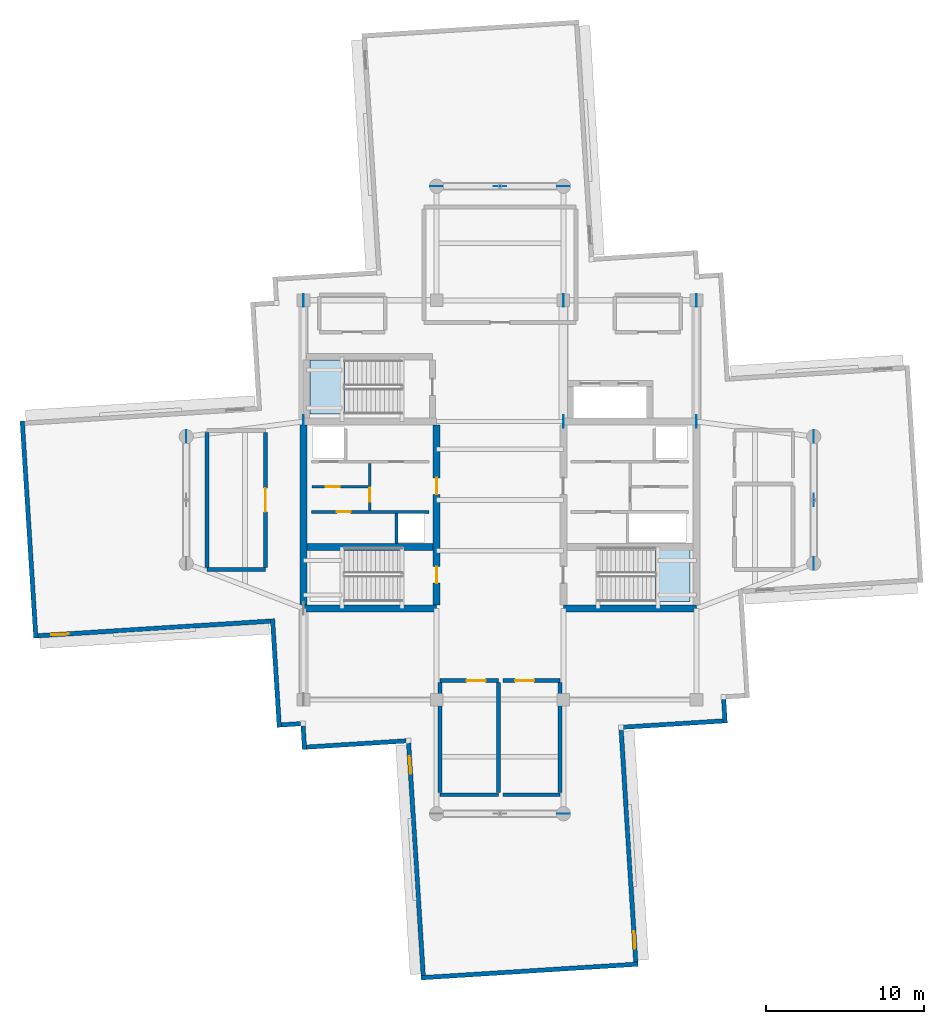
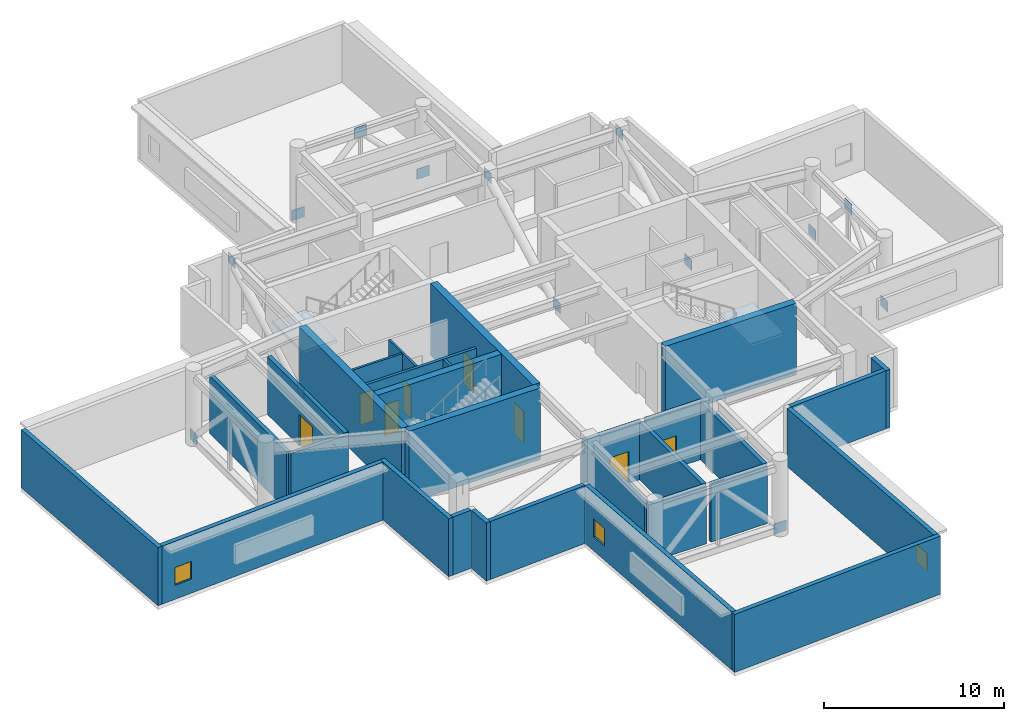
# One storey, part 8 of 14: 30 walls, 14 plates, 8 doors, 3 windows, 2 slabs, 11 openings, 2 elements without a shape of their own.
"""IFC4 building model written with IfcOpenShell, lengths in metres."""

from ifc_helpers import new_model, si_unit, direction, frame, frame_2d, origin, origin_2d, place, context, subcontext, project, spatial, polyline, rectangle, outline, extrude, material, layer, layer_set, type_object, element, fill, aggregate, save


model = new_model("IFC4")

# Units and contexts
model_context = context("Model", 3, precision=1e-05, world=origin(), true_north=direction((0.0, 1.0)))
body_context = subcontext(model_context, "Body", "Model", "MODEL_VIEW")
ifc_project = project(units=[si_unit("LENGTHUNIT", "METRE"), si_unit("AREAUNIT", "SQUARE_METRE"), si_unit("VOLUMEUNIT", "CUBIC_METRE"), si_unit("PLANEANGLEUNIT", "RADIAN"), si_unit("MASSUNIT", "GRAM", prefix="KILO")], contexts=[model_context])

# Site, building, storey
site_placement = place(None, origin())
site = spatial("IfcSite", under=ifc_project, at=site_placement, CompositionType="ELEMENT")
building_placement = place(site_placement, origin())
building = spatial("IfcBuilding", under=site, at=building_placement, Name="Qingluan Cross Belvedere", CompositionType="ELEMENT")
storey_placement = place(building_placement, frame((0.0, 0.0, 288.89990234375)))
storey = spatial("IfcBuildingStorey", under=building, at=storey_placement, Name="L72", CompositionType="ELEMENT", Elevation=288.89990234375)

# Plates
ifc_material_1 = material(Name="Steel Q420GJB", Category="steel")
ifc_layer_1 = layer(ifc_material_1, 0.02490234375, Name="GussetPlate_25")
ifc_layer_set_1 = layer_set([ifc_layer_1], Name="Steel Q420GJB")
plate_type = type_object("IfcPlateType", Name="GussetPlate_25", PredefinedType="SHEET", material=ifc_layer_set_1)
for number, where, z_axis, x_axis, name in (
    (1, (19.800048828125, 0.0, 4.14990234375), (0.0, 0.0, 1.0), (0.0, 1.0, 0.0), "Belt truss gusset node plate L72-E-M"),
    (2, (19.800048828125, 4.0, 0.0), (0.0, 0.0, 1.0), (0.0, 1.0, 0.0), "Belt truss gusset node plate L72-E-B"),
    (3, (19.800048828125, -4.0, 0.0), (0.0, 0.0, 1.0), (0.0, 1.0, 0.0), "Belt truss gusset node plate L72-E-A"),
    (4, (-19.800048828125, 4.0, 0.0), (0.0, 0.0, 1.0), (0.0, 1.0, 0.0), "Belt truss gusset node plate L72-W-B"),
    (5, (0.0, 19.800048828125, 4.14990234375), (0.0, 0.0, 1.0), (1.0, 0.0, 0.0), "Belt truss gusset node plate L72-N-M"),
    (6, (4.0, 19.800048828125, 0.0), (0.0, 0.0, 1.0), (1.0, 0.0, 0.0), "Belt truss gusset node plate L72-N-B"),
    (7, (-4.0, 19.800048828125, 0.0), (0.0, 0.0, 1.0), (1.0, 0.0, 0.0), "Belt truss gusset node plate L72-N-A"),
    (8, (4.0, -19.800048828125, 0.0), (0.0, 0.0, 1.0), (1.0, 0.0, 0.0), "Belt truss gusset node plate L72-S-B"),
    (9, (-12.39990234375, 4.949951171875, 0.0), (0.0, 0.0, 1.0), (0.0, 1.0, 0.0), "Outrigger end connection plate L72-OWN-BOT"),
    (10, (-12.39990234375, 12.60009765625, 4.14990234375), (0.0, 0.0, 1.0), (0.0, 1.0, 0.0), "Outrigger end connection plate L72-OWN-TOP"),
    (11, (12.39990234375, 4.949951171875, 0.0), (0.0, 0.0, 1.0), (0.0, 1.0, 0.0), "Outrigger end connection plate L72-OEN-BOT"),
    (12, (12.39990234375, 12.60009765625, 4.14990234375), (0.0, 0.0, 1.0), (0.0, 1.0, 0.0), "Outrigger end connection plate L72-OEN-TOP"),
    (13, (4.0, 4.949951171875, 0.0), (0.0, 0.0, 1.0), (0.0, 1.0, 0.0), "Outrigger end connection plate L72-OCE-BOT"),
    (14, (4.0, 12.60009765625, 4.14990234375), (0.0, 0.0, 1.0), (0.0, 1.0, 0.0), "Outrigger end connection plate L72-OCE-TOP"),
):
    element("IfcPlate", number, at=place(storey_placement, frame(where, z_axis=z_axis, x_axis=x_axis)), inside=storey, type_object=plate_type, Name=name, PredefinedType="SHEET", context=body_context, shape_type="SweptSolid", body=[
        extrude(rectangle(XDim=0.800048828125, YDim=0.02490234375, at=origin_2d()), origin(), (0.0, 0.0, 1.0), 0.699951171875),
    ])

# Stair, slab
ifc_material_2 = material(Name="Concrete C40", Category="concrete")
stair_type = type_object("IfcStairType", Name="CoreDoglegStair_1620", PredefinedType="HALF_TURN_STAIR", material=ifc_material_2)
stair_1_placement = place(storey_placement, origin())
stair_1 = element("IfcStair", 15, at=stair_1_placement, inside=storey, type_object=stair_type, Name="L72 ST2", PredefinedType="HALF_TURN_STAIR")
ifc_material_3 = material(Name="Concrete C40", Category="concrete")
ifc_layer_2 = layer(ifc_material_3, 0.179931640625, Name="StairLandingSlab_180")
ifc_layer_set_2 = layer_set([ifc_layer_2], Name="Concrete C40")
slab_type = type_object("IfcSlabType", Name="StairLandingSlab_180", PredefinedType="LANDING", material=ifc_layer_set_2)
slab_1_placement = place(storey_placement, frame((0.0, 0.0, 2.35009765625)))
slab_1 = element("IfcSlab", 16, at=slab_1_placement, type_object=slab_type, Name="ST2 landing 1", PredefinedType="LANDING", context=body_context, shape_type="SweptSolid", body=[
    extrude(outline(polyline([(9.820068359375, -6.39990234375), (12.0, -6.39990234375), (12.0, -3.0), (9.820068359375, -3.0), (9.820068359375, -6.39990234375)])), origin(), (0.0, 0.0, 1.0), 0.199951171875),
])
aggregate(stair_1, [slab_1])

stair_2_placement = place(storey_placement, origin())
stair_2 = element("IfcStair", 17, at=stair_2_placement, inside=storey, type_object=stair_type, Name="L72 ST3", PredefinedType="HALF_TURN_STAIR")
slab_2_placement = place(storey_placement, frame((0.0, 0.0, 2.35009765625)))
slab_2 = element("IfcSlab", 18, at=slab_2_placement, type_object=slab_type, Name="ST3 landing 1", PredefinedType="LANDING", context=body_context, shape_type="SweptSolid", body=[
    extrude(outline(polyline([(-9.820068359375, 8.820068359375), (-12.0, 8.820068359375), (-12.0, 5.419921875), (-9.820068359375, 5.419921875), (-9.820068359375, 8.820068359375)])), origin(), (0.0, 0.0, 1.0), 0.199951171875),
])
aggregate(stair_2, [slab_2])

# Walls
ifc_material_4 = material(Name="Concrete C50", Category="concrete")
ifc_layer_3 = layer(ifc_material_4, 0.449951171875, Name="CoreShearWall_450")
ifc_layer_set_3 = layer_set([ifc_layer_3], Name="Concrete C50")
wall_type_1 = type_object("IfcWallType", Name="CoreShearWall_450", PredefinedType="SHEAR", material=ifc_layer_set_3)
wall_1_placement = place(storey_placement, frame((-12.39990234375, -6.85009765625, 0.0), z_axis=(0.0, 0.0, 1.0), x_axis=(1.0, 0.0, 0.0)))
element("IfcWall", 19, at=wall_1_placement, inside=storey, type_object=wall_type_1, Name="Split core W shear wall L72-S", PredefinedType="SHEAR", context=body_context, shape_type="SweptSolid", body=[
    extrude(rectangle(XDim=8.39990234375, YDim=0.449951171875, at=frame_2d((4.199951171875, 0.0))), origin(), (0.0, 0.0, 1.0), 4.85009765625),
])
wall_2_placement = place(storey_placement, frame((-12.39990234375, -6.6201171875, 0.0), z_axis=(0.0, 0.0, 1.0), x_axis=(0.0, 1.0, 0.0)))
element("IfcWall", 20, at=wall_2_placement, inside=storey, type_object=wall_type_1, Name="Split core W shear wall L72-W", PredefinedType="SHEAR", context=body_context, shape_type="SweptSolid", body=[
    extrude(rectangle(XDim=11.340087890625, YDim=0.449951171875, at=frame_2d((5.669921875, 0.0))), origin(), (0.0, 0.0, 1.0), 4.85009765625),
])

# Wall, openings, doors
wall_3_placement = place(storey_placement, frame((-4.0, -6.6201171875, 0.0), z_axis=(0.0, 0.0, 1.0), x_axis=(0.0, 1.0, 0.0)))
wall_3 = element("IfcWall", 21, at=wall_3_placement, inside=storey, type_object=wall_type_1, Name="Split core W shear wall L72-E", PredefinedType="SHEAR", context=body_context, shape_type="SweptSolid", body=[
    extrude(rectangle(XDim=11.340087890625, YDim=0.449951171875, at=frame_2d((5.669921875, 0.0))), origin(), (0.0, 0.0, 1.0), 4.85009765625),
])
opening_1_placement = place(wall_3_placement, frame((1.3701171875, 0.0, 0.0)))
opening_1 = element("IfcOpeningElement", 22, at=opening_1_placement, cuts=wall_3, Name="Opening FD-B11", PredefinedType="OPENING", context=body_context, shape_type="SweptSolid", body=[
    extrude(rectangle(XDim=1.050048828125, YDim=2.14990234375, at=frame_2d((0.52490234375, 1.074951171875))), frame((0.0, 0.23486328125, 0.0), z_axis=(0.0, -1.0, 0.0), x_axis=(1.0, 0.0, 0.0)), (0.0, 0.0, 1.0), 0.469970703125),
])
opening_2_placement = place(wall_3_placement, frame((6.969970703125, 0.0, 0.0)))
opening_2 = element("IfcOpeningElement", 23, at=opening_2_placement, cuts=wall_3, Name="Opening FD-B11", PredefinedType="OPENING", context=body_context, shape_type="SweptSolid", body=[
    extrude(rectangle(XDim=1.050048828125, YDim=2.14990234375, at=frame_2d((0.52490234375, 1.074951171875))), frame((0.0, 0.23486328125, 0.0), z_axis=(0.0, -1.0, 0.0), x_axis=(1.0, 0.0, 0.0)), (0.0, 0.0, 1.0), 0.469970703125),
])
ifc_material_5 = material(Name="Steel Class B smoke-seal fire door", Category="steel")
door_type_1 = type_object("IfcDoorType", Name="StairLobbyFireDoor_FDB", OperationType="NOTDEFINED", PredefinedType="DOOR", material=ifc_material_5)
door_1_placement = place(opening_1_placement, origin())
door_1 = element("IfcDoor", 24, at=door_1_placement, inside=storey, type_object=door_type_1, Name="Smoke-proof stair ST1 fire door L72", OperationType="SINGLE_SWING_RIGHT", OverallHeight=2.14990234375, OverallWidth=1.050048828125, PredefinedType="DOOR", context=body_context, shape_type="SweptSolid", body=[
    extrude(rectangle(XDim=1.050048828125, YDim=2.14990234375, at=frame_2d((0.52490234375, 1.074951171875))), frame((0.0, 0.02490234375, 0.0), z_axis=(0.0, -1.0, 0.0), x_axis=(1.0, 0.0, 0.0)), (0.0, 0.0, 1.0), 0.050048828125),
])
fill(opening_1, door_1)
door_2_placement = place(opening_2_placement, origin())
door_2 = element("IfcDoor", 25, at=door_2_placement, inside=storey, type_object=door_type_1, Name="Firefighting lobby West fire door L72", OperationType="SINGLE_SWING_RIGHT", OverallHeight=2.14990234375, OverallWidth=1.050048828125, PredefinedType="DOOR", context=body_context, shape_type="SweptSolid", body=[
    extrude(rectangle(XDim=1.050048828125, YDim=2.14990234375, at=frame_2d((0.52490234375, 1.074951171875))), frame((0.0, 0.02490234375, 0.0), z_axis=(0.0, -1.0, 0.0), x_axis=(1.0, 0.0, 0.0)), (0.0, 0.0, 1.0), 0.050048828125),
])
fill(opening_2, door_2)

# Walls
wall_4_placement = place(storey_placement, frame((-12.169921875, -2.9599609375, 0.0), z_axis=(0.0, 0.0, 1.0), x_axis=(1.0, 0.0, 0.0)))
element("IfcWall", 26, at=wall_4_placement, inside=storey, type_object=wall_type_1, Name="Split core W shear wall L72-M", PredefinedType="SHEAR", context=body_context, shape_type="SweptSolid", body=[
    extrude(rectangle(XDim=7.93994140625, YDim=0.449951171875, at=frame_2d((3.969970703125, 0.0))), origin(), (0.0, 0.0, 1.0), 4.85009765625),
])
wall_5_placement = place(storey_placement, frame((4.0, -6.85009765625, 0.0), z_axis=(0.0, 0.0, 1.0), x_axis=(1.0, 0.0, 0.0)))
element("IfcWall", 27, at=wall_5_placement, inside=storey, type_object=wall_type_1, Name="Split core E shear wall L72-S", PredefinedType="SHEAR", context=body_context, shape_type="SweptSolid", body=[
    extrude(rectangle(XDim=8.39990234375, YDim=0.449951171875, at=frame_2d((4.199951171875, 0.0))), origin(), (0.0, 0.0, 1.0), 4.85009765625),
])

# Wall, opening, door
ifc_material_6 = material(Name="Gypsum plasterboard on steel stud acoustic partition", Category="steel")
ifc_layer_4 = layer(ifc_material_6, 0.159912109375, Name="CorridorPartition_160")
ifc_layer_set_4 = layer_set([ifc_layer_4], Name="Gypsum plasterboard on steel stud acoustic partition")
wall_type_2 = type_object("IfcWallType", Name="CorridorPartition_160", PredefinedType="PARTITIONING", material=ifc_layer_set_4)
wall_6_placement = place(storey_placement, frame((-11.85009765625, 0.830078125, 0.0), z_axis=(0.0, 0.0, 1.0), x_axis=(1.0, 0.0, 0.0)))
wall_6 = element("IfcWall", 28, at=wall_6_placement, inside=storey, type_object=wall_type_2, Name="Partition L72:w", PredefinedType="PARTITIONING", context=body_context, shape_type="SweptSolid", body=[
    extrude(rectangle(XDim=3.552001953125, YDim=0.139892578125, at=frame_2d((1.77587890625, 0.0))), origin(), (0.0, 0.0, 1.0), 3.920166015625),
])
opening_3_placement = place(wall_6_placement, frame((0.85009765625, 0.0, 0.0)))
opening_3 = element("IfcOpeningElement", 29, at=opening_3_placement, cuts=wall_6, Name="Opening FD-B10", PredefinedType="OPENING", context=body_context, shape_type="SweptSolid", body=[
    extrude(rectangle(XDim=0.8798828125, YDim=2.10009765625, at=frame_2d((0.43994140625, 1.050048828125))), frame((0.0, 0.079833984375, 0.0), z_axis=(0.0, -1.0, 0.0), x_axis=(1.0, 0.0, 0.0)), (0.0, 0.0, 1.0), 0.159912109375),
])
ifc_material_7 = material(Name="Steel Class B service fire door", Category="steel")
door_type_2 = type_object("IfcDoorType", Name="RiserServiceFireDoor_FDB", OperationType="NOTDEFINED", PredefinedType="DOOR", material=ifc_material_7)
door_3_placement = place(opening_3_placement, origin())
door_3 = element("IfcDoor", 30, at=door_3_placement, inside=storey, type_object=door_type_2, Name="Service closet inner door L72", OperationType="SINGLE_SWING_LEFT", OverallHeight=2.10009765625, OverallWidth=0.8798828125, PredefinedType="DOOR", context=body_context, shape_type="SweptSolid", body=[
    extrude(rectangle(XDim=0.8798828125, YDim=2.10009765625, at=frame_2d((0.43994140625, 1.050048828125))), frame((0.0, 0.02490234375, 0.0), z_axis=(0.0, -1.0, 0.0), x_axis=(1.0, 0.0, 0.0)), (0.0, 0.0, 1.0), 0.050048828125),
])
fill(opening_3, door_3)

# Wall
ifc_material_8 = material(Name="Concrete C40", Category="concrete")
ifc_layer_5 = layer(ifc_material_8, 0.300048828125, Name="FireCompartmentWall_300")
ifc_layer_set_5 = layer_set([ifc_layer_5], Name="Concrete C40")
wall_type_3 = type_object("IfcWallType", Name="FireCompartmentWall_300", PredefinedType="SOLIDWALL", material=ifc_layer_set_5)
wall_7_placement = place(storey_placement, frame((-3.800048828125, -18.60009765625, 0.0), z_axis=(0.0, 0.0, 1.0), x_axis=(1.0, 0.0, 0.0)))
element("IfcWall", 31, at=wall_7_placement, inside=storey, type_object=wall_type_3, Name="Partition L72:refuge_s1:S", PredefinedType="SOLIDWALL", context=body_context, shape_type="SweptSolid", body=[
    extrude(rectangle(XDim=3.699951171875, YDim=0.25, at=frame_2d((1.85009765625, 0.0))), origin(), (0.0, 0.0, 1.0), 3.920166015625),
])

# Wall, opening, door
wall_8_placement = place(storey_placement, frame((-3.800048828125, -11.39990234375, 0.0), z_axis=(0.0, 0.0, 1.0), x_axis=(1.0, 0.0, 0.0)))
wall_8 = element("IfcWall", 32, at=wall_8_placement, inside=storey, type_object=wall_type_3, Name="Partition L72:refuge_s1:N", PredefinedType="SOLIDWALL", context=body_context, shape_type="SweptSolid", body=[
    extrude(rectangle(XDim=3.699951171875, YDim=0.25, at=frame_2d((1.85009765625, 0.0))), origin(), (0.0, 0.0, 1.0), 3.920166015625),
])
opening_4_placement = place(wall_8_placement, frame((1.699951171875, 0.0, 0.0)))
opening_4 = element("IfcOpeningElement", 33, at=opening_4_placement, cuts=wall_8, Name="Opening FD-A12", PredefinedType="OPENING", context=body_context, shape_type="SweptSolid", body=[
    extrude(rectangle(XDim=1.199951171875, YDim=2.14990234375, at=frame_2d((0.60009765625, 1.074951171875))), frame((0.0, 0.135009765625, 0.0), z_axis=(0.0, -1.0, 0.0), x_axis=(1.0, 0.0, 0.0)), (0.0, 0.0, 1.0), 0.27001953125),
])
ifc_material_9 = material(Name="Insulated steel Class A fire door", Category="steel")
door_type_3 = type_object("IfcDoorType", Name="RefugeCompartmentDoor_FDA", OperationType="NOTDEFINED", PredefinedType="DOOR", material=ifc_material_9)
door_4_placement = place(opening_4_placement, origin())
door_4 = element("IfcDoor", 34, at=door_4_placement, inside=storey, type_object=door_type_3, Name="Fire refuge area South-West L72 door", OperationType="SINGLE_SWING_LEFT", OverallHeight=2.14990234375, OverallWidth=1.199951171875, PredefinedType="DOOR", context=body_context, shape_type="SweptSolid", body=[
    extrude(rectangle(XDim=1.199951171875, YDim=2.14990234375, at=frame_2d((0.60009765625, 1.074951171875))), frame((0.0, 0.02490234375, 0.0), z_axis=(0.0, -1.0, 0.0), x_axis=(1.0, 0.0, 0.0)), (0.0, 0.0, 1.0), 0.050048828125),
])
fill(opening_4, door_4)

# Walls
for number, where, z_axis, x_axis, name in (
    (35, (-3.800048828125, -18.469970703125, 0.0), (0.0, 0.0, 1.0), (0.0, 1.0, 0.0), "Partition L72:refuge_s1:W"),
    (36, (-0.10009765625, -18.469970703125, 0.0), (0.0, 0.0, 1.0), (0.0, 1.0, 0.0), "Partition L72:refuge_s1:E"),
):
    element("IfcWall", number, at=place(storey_placement, frame(where, z_axis=z_axis, x_axis=x_axis)), inside=storey, type_object=wall_type_3, Name=name, PredefinedType="SOLIDWALL", context=body_context, shape_type="SweptSolid", body=[
        extrude(rectangle(XDim=6.93994140625, YDim=0.25, at=frame_2d((3.469970703125, 0.0))), origin(), (0.0, 0.0, 1.0), 3.920166015625),
    ])
wall_9_placement = place(storey_placement, frame((0.199951171875, -18.60009765625, 0.0), z_axis=(0.0, 0.0, 1.0), x_axis=(1.0, 0.0, 0.0)))
element("IfcWall", 37, at=wall_9_placement, inside=storey, type_object=wall_type_3, Name="Partition L72:refuge_s2:S", PredefinedType="SOLIDWALL", context=body_context, shape_type="SweptSolid", body=[
    extrude(rectangle(XDim=3.60009765625, YDim=0.25, at=frame_2d((1.800048828125, 0.0))), origin(), (0.0, 0.0, 1.0), 3.920166015625),
])

# Wall, opening, door
wall_10_placement = place(storey_placement, frame((0.199951171875, -11.39990234375, 0.0), z_axis=(0.0, 0.0, 1.0), x_axis=(1.0, 0.0, 0.0)))
wall_10 = element("IfcWall", 38, at=wall_10_placement, inside=storey, type_object=wall_type_3, Name="Partition L72:refuge_s2:N", PredefinedType="SOLIDWALL", context=body_context, shape_type="SweptSolid", body=[
    extrude(rectangle(XDim=3.60009765625, YDim=0.25, at=frame_2d((1.800048828125, 0.0))), origin(), (0.0, 0.0, 1.0), 3.920166015625),
])
opening_5_placement = place(wall_10_placement, frame((0.75, 0.0, 0.0)))
opening_5 = element("IfcOpeningElement", 39, at=opening_5_placement, cuts=wall_10, Name="Opening FD-A12", PredefinedType="OPENING", context=body_context, shape_type="SweptSolid", body=[
    extrude(rectangle(XDim=1.199951171875, YDim=2.14990234375, at=frame_2d((0.60009765625, 1.074951171875))), frame((0.0, 0.135009765625, 0.0), z_axis=(0.0, -1.0, 0.0), x_axis=(1.0, 0.0, 0.0)), (0.0, 0.0, 1.0), 0.27001953125),
])
door_5_placement = place(opening_5_placement, origin())
door_5 = element("IfcDoor", 40, at=door_5_placement, inside=storey, type_object=door_type_3, Name="Fire refuge area South-East L72 door", OperationType="SINGLE_SWING_RIGHT", OverallHeight=2.14990234375, OverallWidth=1.199951171875, PredefinedType="DOOR", context=body_context, shape_type="SweptSolid", body=[
    extrude(rectangle(XDim=1.199951171875, YDim=2.14990234375, at=frame_2d((0.60009765625, 1.074951171875))), frame((0.0, 0.02490234375, 0.0), z_axis=(0.0, -1.0, 0.0), x_axis=(1.0, 0.0, 0.0)), (0.0, 0.0, 1.0), 0.050048828125),
])
fill(opening_5, door_5)

# Walls
wall_11_placement = place(storey_placement, frame((3.800048828125, -18.469970703125, 0.0), z_axis=(0.0, 0.0, 1.0), x_axis=(0.0, 1.0, 0.0)))
element("IfcWall", 41, at=wall_11_placement, inside=storey, type_object=wall_type_3, Name="Partition L72:refuge_s2:E", PredefinedType="SOLIDWALL", context=body_context, shape_type="SweptSolid", body=[
    extrude(rectangle(XDim=6.93994140625, YDim=0.25, at=frame_2d((3.469970703125, 0.0))), origin(), (0.0, 0.0, 1.0), 3.920166015625),
])
wall_12_placement = place(storey_placement, frame((-18.5, -4.39990234375, 0.0), z_axis=(0.0, 0.0, 1.0), x_axis=(1.0, 0.0, 0.0)))
element("IfcWall", 42, at=wall_12_placement, inside=storey, type_object=wall_type_3, Name="Partition L72:hx_plant:S", PredefinedType="SOLIDWALL", context=body_context, shape_type="SweptSolid", body=[
    extrude(rectangle(XDim=3.699951171875, YDim=0.25, at=frame_2d((1.85009765625, 0.0))), origin(), (0.0, 0.0, 1.0), 3.920166015625),
])
wall_13_placement = place(storey_placement, frame((-18.5, -4.27001953125, 0.0), z_axis=(0.0, 0.0, 1.0), x_axis=(0.0, 1.0, 0.0)))
element("IfcWall", 43, at=wall_13_placement, inside=storey, type_object=wall_type_3, Name="Partition L72:hx_plant:W", PredefinedType="SOLIDWALL", context=body_context, shape_type="SweptSolid", body=[
    extrude(rectangle(XDim=8.5400390625, YDim=0.25, at=frame_2d((4.27001953125, 0.0))), origin(), (0.0, 0.0, 1.0), 3.920166015625),
])

# Wall, opening, door
wall_14_placement = place(storey_placement, frame((-14.800048828125, -4.27001953125, 0.0), z_axis=(0.0, 0.0, 1.0), x_axis=(0.0, 1.0, 0.0)))
wall_14 = element("IfcWall", 44, at=wall_14_placement, inside=storey, type_object=wall_type_3, Name="Partition L72:hx_plant:E", PredefinedType="SOLIDWALL", context=body_context, shape_type="SweptSolid", body=[
    extrude(rectangle(XDim=8.5400390625, YDim=0.25, at=frame_2d((4.27001953125, 0.0))), origin(), (0.0, 0.0, 1.0), 3.920166015625),
])
opening_6_placement = place(wall_14_placement, frame((3.52001953125, 0.0, 0.0)))
opening_6 = element("IfcOpeningElement", 45, at=opening_6_placement, cuts=wall_14, Name="Opening FD-A15", PredefinedType="OPENING", context=body_context, shape_type="SweptSolid", body=[
    extrude(rectangle(XDim=1.5, YDim=2.14990234375, at=frame_2d((0.75, 1.074951171875))), frame((0.0, 0.135009765625, 0.0), z_axis=(0.0, -1.0, 0.0), x_axis=(1.0, 0.0, 0.0)), (0.0, 0.0, 1.0), 0.27001953125),
])
ifc_material_10 = material(Name="Insulated steel Class A double fire door", Category="steel")
door_type_4 = type_object("IfcDoorType", Name="PlantDoubleFireDoor_FDA", OperationType="DOUBLE_DOOR_SINGLE_SWING", PredefinedType="DOOR", material=ifc_material_10)
door_6_placement = place(opening_6_placement, origin())
door_6 = element("IfcDoor", 46, at=door_6_placement, inside=storey, type_object=door_type_4, Name="High-zone plate heat-exchanger plant L72 door", OperationType="DOUBLE_DOOR_SINGLE_SWING", OverallHeight=2.14990234375, OverallWidth=1.5, PredefinedType="DOOR", context=body_context, shape_type="SweptSolid", body=[
    extrude(rectangle(XDim=1.5, YDim=2.14990234375, at=frame_2d((0.75, 1.074951171875))), frame((0.0, 0.02490234375, 0.0), z_axis=(0.0, -1.0, 0.0), x_axis=(1.0, 0.0, 0.0)), (0.0, 0.0, 1.0), 0.050048828125),
])
fill(opening_6, door_6)

# Wall, opening, window
ifc_material_11 = material(Name="Precast concrete C45", Category="concrete")
ifc_layer_6 = layer(ifc_material_11, 0.280029296875, Name="PrecastFacadeWall_280")
ifc_layer_set_6 = layer_set([ifc_layer_6], Name="Precast concrete C45")
wall_type_4 = type_object("IfcWallType", Name="PrecastFacadeWall_280", PredefinedType="STANDARD", material=ifc_layer_set_6)
wall_15_placement = place(storey_placement, frame((-29.15966796875, -8.56787109375, 0.0), z_axis=(0.0, 0.0, 1.0), x_axis=(0.998026448555, 0.062794967833, 0.0)))
wall_15 = element("IfcWall", 47, at=wall_15_placement, inside=storey, type_object=wall_type_4, Name="Facade wall L72-WB", PredefinedType="STANDARD", context=body_context, shape_type="SweptSolid", body=[
    extrude(rectangle(XDim=14.7001953125, YDim=0.280029296875, at=frame_2d((7.35009765625, 0.0))), origin(), (0.0, 0.0, 1.0), 3.93017578125),
])
opening_7_placement = place(wall_15_placement, frame((0.85009765625, 0.0, 0.949951171875)))
opening_7 = element("IfcOpeningElement", 48, at=opening_7_placement, cuts=wall_15, Name="Opening W-07", PredefinedType="OPENING", context=body_context, shape_type="SweptSolid", body=[
    extrude(rectangle(XDim=1.10009765625, YDim=1.199951171875, at=frame_2d((0.550048828125, 0.60009765625))), frame((0.0, 0.14990234375, 0.0), z_axis=(0.0, -1.0, 0.0), x_axis=(1.0, 0.0, 0.0)), (0.0, 0.0, 1.0), 0.300048828125),
])
ifc_material_12 = material(Name="Thermally broken triple Low-E glass in aluminium frame", Category="aluminium")
window_type = type_object("IfcWindowType", Name="RefugeSmokeWin_1100x1200", PartitioningType="SINGLE_PANEL", PredefinedType="WINDOW", material=ifc_material_12)
window_1_placement = place(opening_7_placement, origin())
window_1 = element("IfcWindow", 49, at=window_1_placement, inside=storey, type_object=window_type, Name="Refuge operable smoke window L72-WB", OverallHeight=1.199951171875, OverallWidth=1.10009765625, PartitioningType="SINGLE_PANEL", PredefinedType="WINDOW", context=body_context, shape_type="SweptSolid", body=[
    extrude(rectangle(XDim=1.10009765625, YDim=1.199951171875, at=frame_2d((0.550048828125, 0.60009765625))), frame((0.0, 0.030029296875, 0.0), z_axis=(0.0, -1.0, 0.0), x_axis=(1.0, 0.0, 0.0)), (0.0, 0.0, 1.0), 0.06005859375),
])
fill(opening_7, window_1)

# Wall
wall_16_placement = place(storey_placement, frame((-30.152099609375, 4.9765625, 0.0), z_axis=(0.0, 0.0, 1.0), x_axis=(0.062797041623, -0.998026318072, 0.0)))
element("IfcWall", 50, at=wall_16_placement, inside=storey, type_object=wall_type_4, Name="Arm tip precast facade wall L72-W", PredefinedType="STANDARD", context=body_context, shape_type="SweptSolid", body=[
    extrude(rectangle(XDim=13.719970703125, YDim=0.280029296875, at=frame_2d((6.85986328125, 0.0))), origin(), (0.0, 0.0, 1.0), 3.93017578125),
])

# Wall, opening, window
wall_17_placement = place(storey_placement, frame((-5.7685546875, -15.33251953125, 0.0), z_axis=(0.0, 0.0, 1.0), x_axis=(0.062779465852, -0.998027423805, 0.0)))
wall_17 = element("IfcWall", 51, at=wall_17_placement, inside=storey, type_object=wall_type_4, Name="Facade wall L72-SA", PredefinedType="STANDARD", context=body_context, shape_type="SweptSolid", body=[
    extrude(rectangle(XDim=14.699951171875, YDim=0.280029296875, at=frame_2d((7.35009765625, 0.0))), origin(), (0.0, 0.0, 1.0), 3.93017578125),
])
opening_8_placement = place(wall_17_placement, frame((0.85009765625, 0.0, 0.949951171875)))
opening_8 = element("IfcOpeningElement", 52, at=opening_8_placement, cuts=wall_17, Name="Opening W-07", PredefinedType="OPENING", context=body_context, shape_type="SweptSolid", body=[
    extrude(rectangle(XDim=1.10009765625, YDim=1.199951171875, at=frame_2d((0.550048828125, 0.60009765625))), frame((0.0, 0.14990234375, 0.0), z_axis=(0.0, -1.0, 0.0), x_axis=(1.0, 0.0, 0.0)), (0.0, 0.0, 1.0), 0.300048828125),
])
window_2_placement = place(opening_8_placement, origin())
window_2 = element("IfcWindow", 53, at=window_2_placement, inside=storey, type_object=window_type, Name="Refuge operable smoke window L72-SA", OverallHeight=1.199951171875, OverallWidth=1.10009765625, PartitioningType="SINGLE_PANEL", PredefinedType="WINDOW", context=body_context, shape_type="SweptSolid", body=[
    extrude(rectangle(XDim=1.10009765625, YDim=1.199951171875, at=frame_2d((0.550048828125, 0.60009765625))), frame((0.0, 0.030029296875, 0.0), z_axis=(0.0, -1.0, 0.0), x_axis=(1.0, 0.0, 0.0)), (0.0, 0.0, 1.0), 0.06005859375),
])
fill(opening_8, window_2)

wall_18_placement = place(storey_placement, frame((8.56787109375, -29.15966796875, 0.0), z_axis=(0.0, 0.0, 1.0), x_axis=(-0.062794967833, 0.998026448555, 0.0)))
wall_18 = element("IfcWall", 54, at=wall_18_placement, inside=storey, type_object=wall_type_4, Name="Facade wall L72-SB", PredefinedType="STANDARD", context=body_context, shape_type="SweptSolid", body=[
    extrude(rectangle(XDim=14.7001953125, YDim=0.280029296875, at=frame_2d((7.35009765625, 0.0))), origin(), (0.0, 0.0, 1.0), 3.93017578125),
])
opening_9_placement = place(wall_18_placement, frame((0.85009765625, 0.0, 0.949951171875)))
opening_9 = element("IfcOpeningElement", 55, at=opening_9_placement, cuts=wall_18, Name="Opening W-07", PredefinedType="OPENING", context=body_context, shape_type="SweptSolid", body=[
    extrude(rectangle(XDim=1.10009765625, YDim=1.199951171875, at=frame_2d((0.550048828125, 0.60009765625))), frame((0.0, 0.14990234375, 0.0), z_axis=(0.0, -1.0, 0.0), x_axis=(1.0, 0.0, 0.0)), (0.0, 0.0, 1.0), 0.300048828125),
])
window_3_placement = place(opening_9_placement, origin())
window_3 = element("IfcWindow", 56, at=window_3_placement, inside=storey, type_object=window_type, Name="Refuge operable smoke window L72-SB", OverallHeight=1.199951171875, OverallWidth=1.10009765625, PartitioningType="SINGLE_PANEL", PredefinedType="WINDOW", context=body_context, shape_type="SweptSolid", body=[
    extrude(rectangle(XDim=1.10009765625, YDim=1.199951171875, at=frame_2d((0.550048828125, 0.60009765625))), frame((0.0, 0.030029296875, 0.0), z_axis=(0.0, -1.0, 0.0), x_axis=(1.0, 0.0, 0.0)), (0.0, 0.0, 1.0), 0.06005859375),
])
fill(opening_9, window_3)

# Walls
wall_19_placement = place(storey_placement, frame((-4.9765625, -30.152099609375, 0.0), z_axis=(0.0, 0.0, 1.0), x_axis=(0.998026318072, 0.062797041623, 0.0)))
element("IfcWall", 57, at=wall_19_placement, inside=storey, type_object=wall_type_4, Name="Arm tip precast facade wall L72-S", PredefinedType="STANDARD", context=body_context, shape_type="SweptSolid", body=[
    extrude(rectangle(XDim=13.719970703125, YDim=0.280029296875, at=frame_2d((6.85986328125, 0.0))), origin(), (0.0, 0.0, 1.0), 3.93017578125),
])
wall_20_placement = place(storey_placement, frame((-14.357666015625, -7.496337890625, 0.0), z_axis=(0.0, 0.0, 1.0), x_axis=(0.062779317195, -0.998027433156, 0.0)))
element("IfcWall", 58, at=wall_20_placement, inside=storey, type_object=wall_type_4, Name="Corner wall L72-SW1", PredefinedType="STANDARD", context=body_context, shape_type="SweptSolid", body=[
    extrude(rectangle(XDim=6.85986328125, YDim=0.280029296875, at=frame_2d((3.429931640625, 0.0))), origin(), (0.0, 0.0, 1.0), 3.93017578125),
])
wall_21_placement = place(storey_placement, frame((-13.7958984375, -14.1943359375, 0.0), z_axis=(0.0, 0.0, 1.0), x_axis=(0.998023660242, 0.06283926796, 0.0)))
element("IfcWall", 59, at=wall_21_placement, inside=storey, type_object=wall_type_4, Name="Corner wall L72-SW2", PredefinedType="STANDARD", context=body_context, shape_type="SweptSolid", body=[
    extrude(rectangle(XDim=1.219970703125, YDim=0.280029296875, at=frame_2d((0.60986328125, 0.0))), origin(), (0.0, 0.0, 1.0), 3.93017578125),
])
wall_22_placement = place(storey_placement, frame((-12.429931640625, -14.24853515625, 0.0), z_axis=(0.0, 0.0, 1.0), x_axis=(0.062824119533, -0.998024613927, 0.0)))
element("IfcWall", 60, at=wall_22_placement, inside=storey, type_object=wall_type_4, Name="Corner wall L72-SW3", PredefinedType="STANDARD", context=body_context, shape_type="SweptSolid", body=[
    extrude(rectangle(XDim=1.5, YDim=0.280029296875, at=frame_2d((0.75, 0.0))), origin(), (0.0, 0.0, 1.0), 3.93017578125),
])
wall_23_placement = place(storey_placement, frame((-12.20458984375, -15.59716796875, 0.0), z_axis=(0.0, 0.0, 1.0), x_axis=(0.998024885752, 0.062819801181, 0.0)))
element("IfcWall", 61, at=wall_23_placement, inside=storey, type_object=wall_type_4, Name="Corner wall L72-SW4", PredefinedType="STANDARD", context=body_context, shape_type="SweptSolid", body=[
    extrude(rectangle(XDim=6.2998046875, YDim=0.280029296875, at=frame_2d((3.14990234375, 0.0))), origin(), (0.0, 0.0, 1.0), 3.93017578125),
])
wall_24_placement = place(storey_placement, frame((14.11767578125, -12.578369140625, 0.0), z_axis=(0.0, 0.0, 1.0), x_axis=(0.062824119533, -0.998024613927, 0.0)))
element("IfcWall", 62, at=wall_24_placement, inside=storey, type_object=wall_type_4, Name="Corner wall L72-SE3", PredefinedType="STANDARD", context=body_context, shape_type="SweptSolid", body=[
    extrude(rectangle(XDim=1.5, YDim=0.280029296875, at=frame_2d((0.75, 0.0))), origin(), (0.0, 0.0, 1.0), 3.93017578125),
])
wall_25_placement = place(storey_placement, frame((14.063232421875, -13.944580078125, 0.0), z_axis=(0.0, 0.0, 1.0), x_axis=(-0.998027314704, -0.062781200242, 0.0)))
element("IfcWall", 63, at=wall_25_placement, inside=storey, type_object=wall_type_4, Name="Corner wall L72-SE4", PredefinedType="STANDARD", context=body_context, shape_type="SweptSolid", body=[
    extrude(rectangle(XDim=6.2998046875, YDim=0.280029296875, at=frame_2d((3.14990234375, 0.0))), origin(), (0.0, 0.0, 1.0), 3.93017578125),
])

# Wall, opening, door
ifc_material_13 = material(Name="Concrete C40", Category="concrete")
ifc_layer_7 = layer(ifc_material_13, 0.219970703125, Name="ShaftEnclosureWall_250")
ifc_layer_set_7 = layer_set([ifc_layer_7], Name="Concrete C40")
wall_type_5 = type_object("IfcWallType", Name="ShaftEnclosureWall_250", PredefinedType="SOLIDWALL", material=ifc_layer_set_7)
wall_26_placement = place(storey_placement, frame((-11.89990234375, -0.75, 0.0), z_axis=(0.0, 0.0, 1.0), x_axis=(1.0, 0.0, 0.0)))
wall_26 = element("IfcWall", 64, at=wall_26_placement, inside=storey, type_object=wall_type_5, Name="Core-W mid hoistway wall L72", PredefinedType="SOLIDWALL", context=body_context, shape_type="SweptSolid", body=[
    extrude(rectangle(XDim=7.419921875, YDim=0.179931640625, at=frame_2d((3.7099609375, 0.0))), origin(), (0.0, 0.0, 1.0), 3.920166015625),
])
opening_10_placement = place(wall_26_placement, frame((1.60009765625, 0.0, 0.0)))
opening_10 = element("IfcOpeningElement", 65, at=opening_10_placement, cuts=wall_26, Name="Opening FD-B10", PredefinedType="OPENING", context=body_context, shape_type="SweptSolid", body=[
    extrude(rectangle(XDim=0.8798828125, YDim=2.10009765625, at=frame_2d((0.43994140625, 1.050048828125))), frame((0.0, 0.099853515625, 0.0), z_axis=(0.0, -1.0, 0.0), x_axis=(1.0, 0.0, 0.0)), (0.0, 0.0, 1.0), 0.199951171875),
])
door_7_placement = place(opening_10_placement, origin())
door_7 = element("IfcDoor", 66, at=door_7_placement, inside=storey, type_object=door_type_2, Name="Upper-zone electrical room door L72", OperationType="SINGLE_SWING_LEFT", OverallHeight=2.10009765625, OverallWidth=0.8798828125, PredefinedType="DOOR", context=body_context, shape_type="SweptSolid", body=[
    extrude(rectangle(XDim=0.8798828125, YDim=2.10009765625, at=frame_2d((0.43994140625, 1.050048828125))), frame((0.0, 0.02490234375, 0.0), z_axis=(0.0, -1.0, 0.0), x_axis=(1.0, 0.0, 0.0)), (0.0, 0.0, 1.0), 0.050048828125),
])
fill(opening_10, door_7)

# Wall
wall_27_placement = place(storey_placement, frame((-6.5400390625, -2.72998046875, 0.0), z_axis=(0.0, 0.0, 1.0), x_axis=(0.0, 1.0, 0.0)))
element("IfcWall", 67, at=wall_27_placement, inside=storey, type_object=wall_type_5, Name="Hoistway enclosure divider LP8W L72", PredefinedType="SOLIDWALL", context=body_context, shape_type="SweptSolid", body=[
    extrude(rectangle(XDim=1.889892578125, YDim=0.179931640625, at=frame_2d((0.94482421875, 0.0))), origin(), (0.0, 0.0, 1.0), 3.920166015625),
])

# Wall, opening, door
wall_28_placement = place(storey_placement, frame((-8.219970703125, -0.64990234375, 0.0), z_axis=(0.0, 0.0, 1.0), x_axis=(0.0, 1.0, 0.0)))
wall_28 = element("IfcWall", 68, at=wall_28_placement, inside=storey, type_object=wall_type_5, Name="Core-W service corridor wall L72", PredefinedType="SOLIDWALL", context=body_context, shape_type="SweptSolid", body=[
    extrude(rectangle(XDim=2.9599609375, YDim=0.139892578125, at=frame_2d((1.47998046875, 0.0))), origin(), (0.0, 0.0, 1.0), 3.920166015625),
])
opening_11_placement = place(wall_28_placement, frame((0.550048828125, 0.0, 0.0)))
opening_11 = element("IfcOpeningElement", 69, at=opening_11_placement, cuts=wall_28, Name="Opening FD-B10", PredefinedType="OPENING", context=body_context, shape_type="SweptSolid", body=[
    extrude(rectangle(XDim=0.8798828125, YDim=2.10009765625, at=frame_2d((0.43994140625, 1.050048828125))), frame((0.0, 0.079833984375, 0.0), z_axis=(0.0, -1.0, 0.0), x_axis=(1.0, 0.0, 0.0)), (0.0, 0.0, 1.0), 0.159912109375),
])
door_8_placement = place(opening_11_placement, origin())
door_8 = element("IfcDoor", 70, at=door_8_placement, inside=storey, type_object=door_type_2, Name="Core-W service room door L72", OperationType="SINGLE_SWING_LEFT", OverallHeight=2.10009765625, OverallWidth=0.8798828125, PredefinedType="DOOR", context=body_context, shape_type="SweptSolid", body=[
    extrude(rectangle(XDim=0.8798828125, YDim=2.10009765625, at=frame_2d((0.43994140625, 1.050048828125))), frame((0.0, 0.02490234375, 0.0), z_axis=(0.0, -1.0, 0.0), x_axis=(1.0, 0.0, 0.0)), (0.0, 0.0, 1.0), 0.050048828125),
])
fill(opening_11, door_8)

save(model, "model.ifc")
